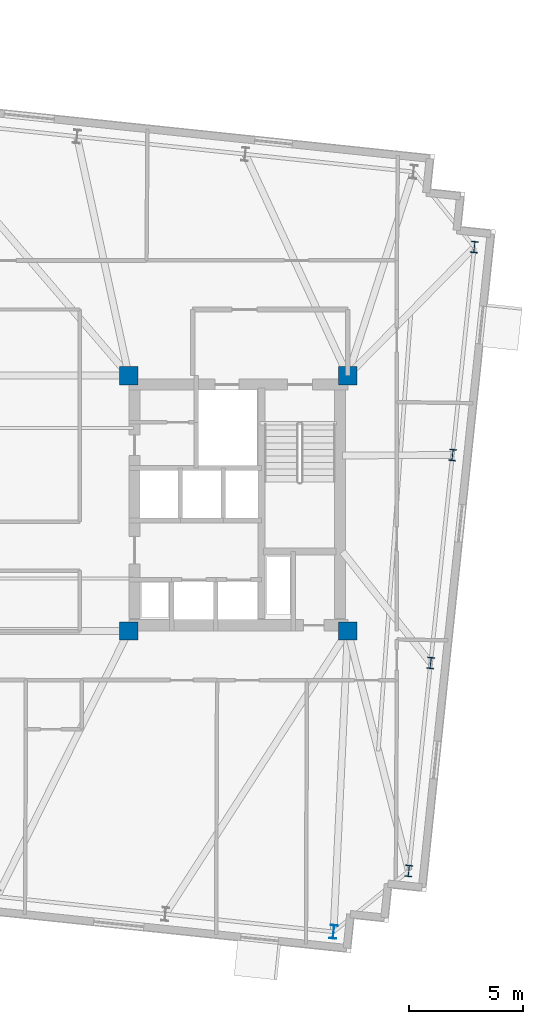
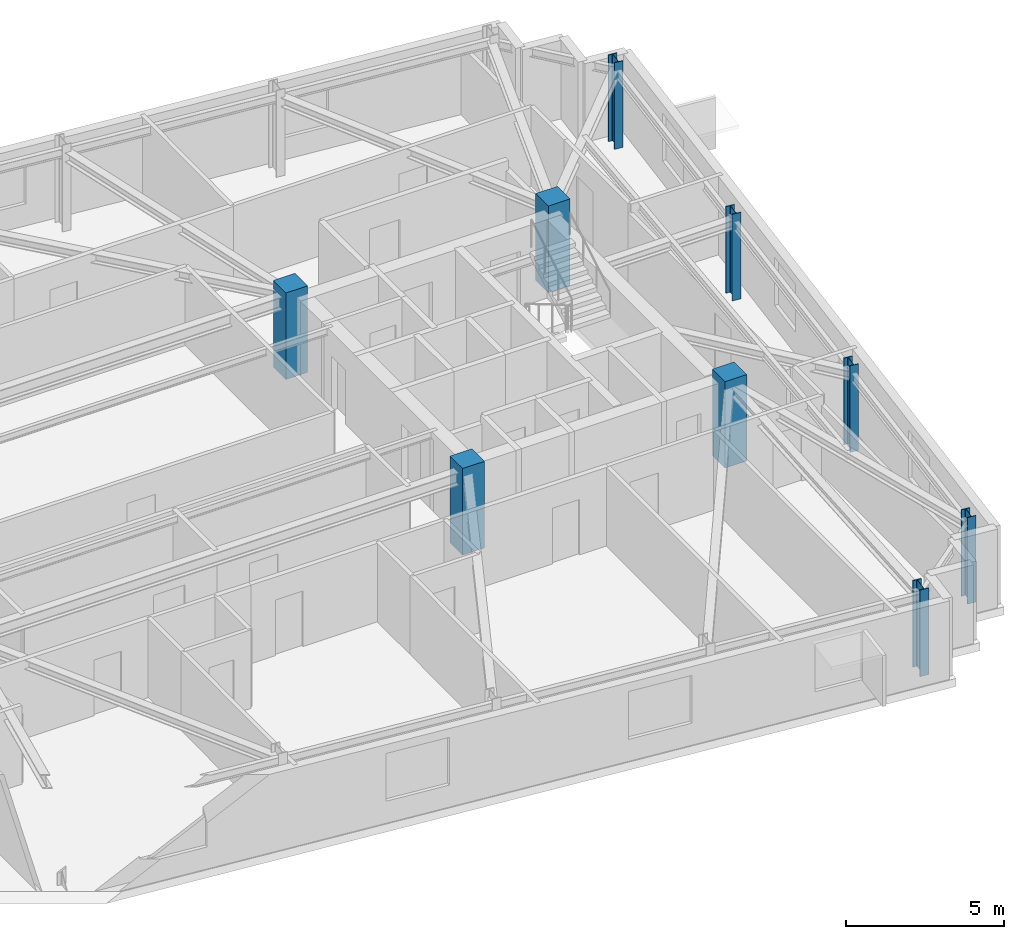
# One storey, part 2 of 11: 9 columns.
"""IFC4 building model written with IfcOpenShell, lengths in metres."""

from ifc_helpers import new_model, si_unit, direction, frame, origin, origin_2d, place, context, subcontext, project, spatial, rectangle, i_section, extrude, material, material_profile, profile_set, type_object, element, save


model = new_model("IFC4")

# Units and contexts
model_context = context("Model", 3, precision=1e-05, world=origin(), true_north=direction((0.0, 1.0)))
body_context = subcontext(model_context, "Body", "Model", "MODEL_VIEW")
ifc_project = project(units=[si_unit("LENGTHUNIT", "METRE"), si_unit("AREAUNIT", "SQUARE_METRE"), si_unit("VOLUMEUNIT", "CUBIC_METRE"), si_unit("PLANEANGLEUNIT", "RADIAN"), si_unit("MASSUNIT", "GRAM", prefix="KILO")], contexts=[model_context])

# Site, building, storey
site_placement = place(None, origin())
site = spatial("IfcSite", under=ifc_project, at=site_placement, CompositionType="ELEMENT")
building_placement = place(site_placement, origin())
building = spatial("IfcBuilding", under=site, at=building_placement, Name="Qobustan Lattice House", CompositionType="ELEMENT")
storey_placement = place(building_placement, frame((0.0, 0.0, 193.050048828125)))
storey = spatial("IfcBuildingStorey", under=building, at=storey_placement, Name="L54", CompositionType="ELEMENT", Elevation=193.050048828125)

# Columns
ifc_material_1 = material(Name="Concrete C50/60", Category="concrete")
ifc_material_profile_1 = material_profile(ifc_material_1, rectangle(XDim=0.800048828125, YDim=0.800048828125, at=origin_2d()), Name="RC800x800")
ifc_profile_set_1 = profile_set([ifc_material_profile_1], Name="Concrete C50/60")
column_type_1 = type_object("IfcColumnType", Name="COL-RC-800", PredefinedType="COLUMN", material=ifc_profile_set_1)
for number, where, z_axis, x_axis, name in (
    (1, (9.199951171875, -5.60009765625, 0.0), (0.0, 0.0, 1.0), (1.0, 0.0, 0.0), "L54 core mega-column CE-SW"),
    (2, (9.199951171875, 5.60009765625, 0.0), (0.0, 0.0, 1.0), (1.0, 0.0, 0.0), "L54 core mega-column CE-NW"),
    (3, (18.800048828125, -5.60009765625, 0.0), (0.0, 0.0, 1.0), (1.0, 0.0, 0.0), "L54 core mega-column CE-SE"),
    (4, (18.800048828125, 5.60009765625, 0.0), (0.0, 0.0, 1.0), (1.0, 0.0, 0.0), "L54 core mega-column CE-NE"),
):
    element("IfcColumn", number, at=place(storey_placement, frame(where, z_axis=z_axis, x_axis=x_axis)), inside=storey, type_object=column_type_1, Name=name, PredefinedType="COLUMN", context=body_context, shape_type="SweptSolid", body=[
        extrude(rectangle(XDim=0.800048828125, YDim=0.800048828125, at=origin_2d()), origin(), (0.0, 0.0, 1.0), 3.349853515625),
    ])
ifc_material_2 = material(Name="Steel S355", Category="steel")
ifc_material_profile_2 = material_profile(ifc_material_2, i_section(OverallWidth=0.300048828125, OverallDepth=0.5, WebThickness=0.014404296875, FlangeThickness=0.028076171875, FilletRadius=0.027099609375, at=origin_2d()), Name="HEB500")
ifc_profile_set_2 = profile_set([ifc_material_profile_2], Name="Steel S355")
column_type_2 = type_object("IfcColumnType", Name="COL-ST-HEB500", PredefinedType="COLUMN", material=ifc_profile_set_2)
for number, where, z_axis, x_axis, name in (
    (5, (21.474365234375, -16.114013671875, 0.0), (0.0, 0.0, 1.0), (0.994521895368, -0.104528463268, 0.0), "L54 B4 perimeter column E1"),
    (6, (22.4326171875, -6.99755859375, 0.0), (0.0, 0.0, 1.0), (0.994521895368, -0.104528463268, 0.0), "L54 B4 perimeter column E2"),
    (7, (23.390869140625, 2.118896484375, 0.0), (0.0, 0.0, 1.0), (0.994521895368, -0.104528463268, 0.0), "L54 B4 perimeter column E3"),
    (8, (24.348876953125, 11.2353515625, 0.0), (0.0, 0.0, 1.0), (0.994521895368, -0.104528463268, 0.0), "L54 B4 perimeter column E4"),
):
    element("IfcColumn", number, at=place(storey_placement, frame(where, z_axis=z_axis, x_axis=x_axis)), inside=storey, type_object=column_type_2, Name=name, PredefinedType="COLUMN", context=body_context, shape_type="SweptSolid", body=[
        extrude(i_section(OverallWidth=0.300048828125, OverallDepth=0.5, WebThickness=0.014404296875, FlangeThickness=0.028076171875, FilletRadius=0.027099609375, at=origin_2d()), origin(), (0.0, 0.0, 1.0), 3.349853515625),
    ])
ifc_material_3 = material(Name="Steel S355", Category="steel")
ifc_material_profile_3 = material_profile(ifc_material_3, i_section(OverallWidth=0.300048828125, OverallDepth=0.60009765625, WebThickness=0.015380859375, FlangeThickness=0.030029296875, FilletRadius=0.027099609375, at=origin_2d()), Name="HEB600")
ifc_profile_set_3 = profile_set([ifc_material_profile_3], Name="Steel S355")
column_type_3 = type_object("IfcColumnType", Name="COL-ST-HEB600", PredefinedType="COLUMN", material=ifc_profile_set_3)
column_placement = place(storey_placement, frame((18.17724609375, -18.783935546875, 0.0), z_axis=(0.0, 0.0, 1.0), x_axis=(0.994521895368, -0.104528463268, 0.0)))
element("IfcColumn", 9, at=column_placement, inside=storey, type_object=column_type_3, Name="L54 B4 perimeter column S7", PredefinedType="COLUMN", context=body_context, shape_type="SweptSolid", body=[
    extrude(i_section(OverallWidth=0.300048828125, OverallDepth=0.60009765625, WebThickness=0.015380859375, FlangeThickness=0.030029296875, FilletRadius=0.027099609375, at=origin_2d()), origin(), (0.0, 0.0, 1.0), 3.349853515625),
])

save(model, "model.ifc")
